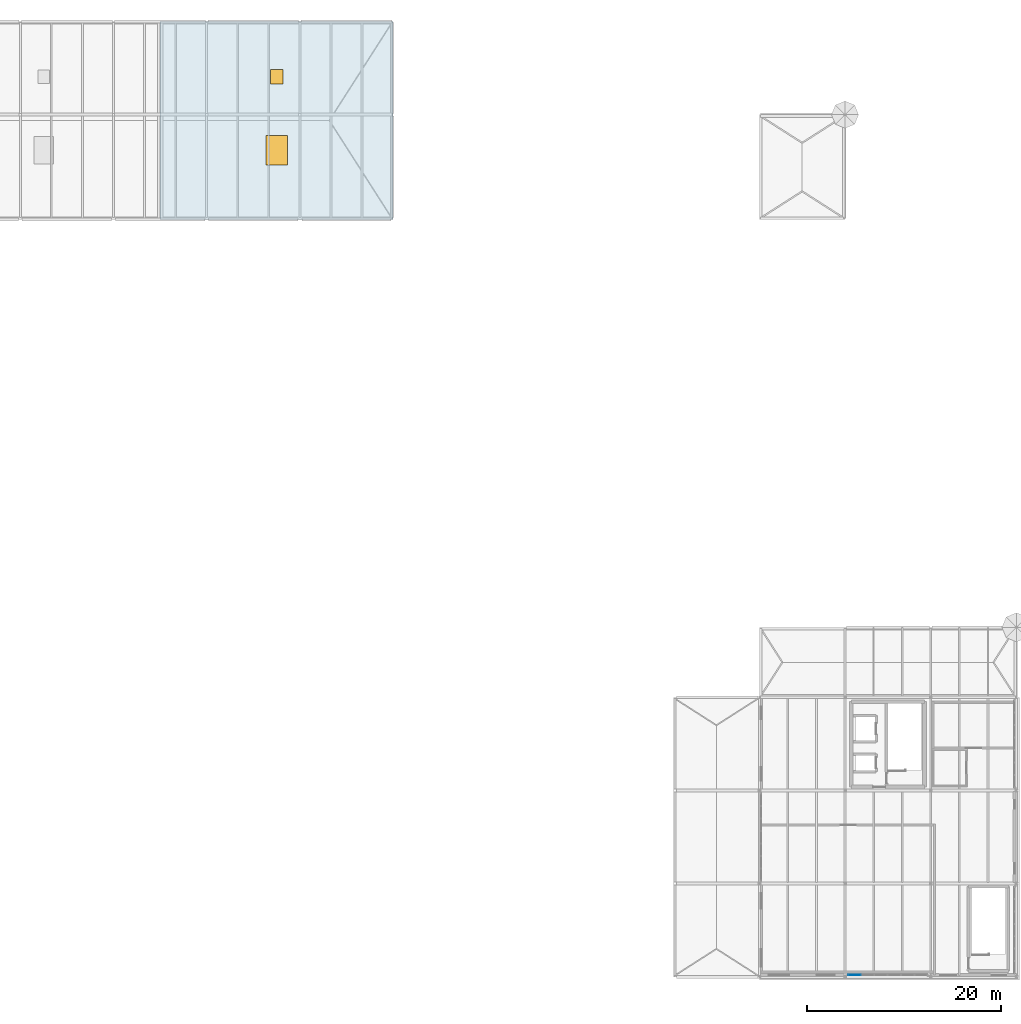
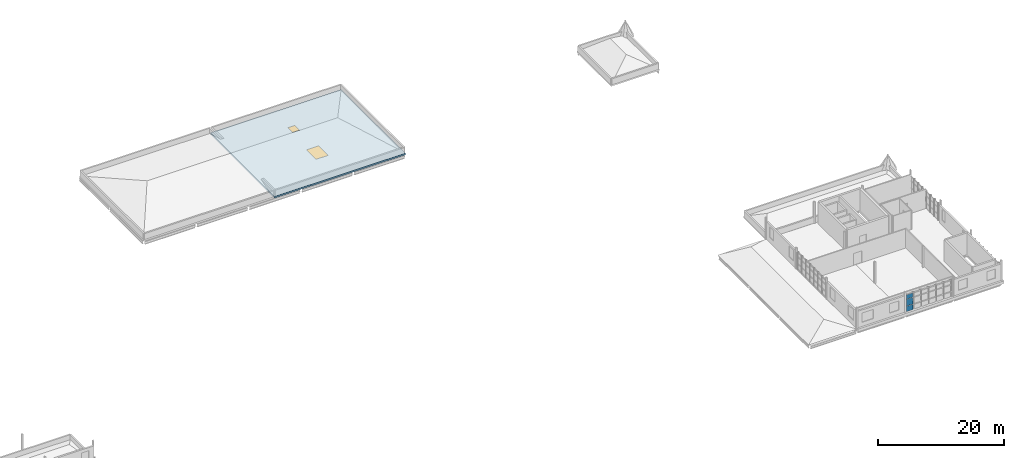
# One storey, part 18 of 28: 3 plates, 1 door, 1 slab, 1 window, 2 openings, 1 element without a shape of its own.
"""IFC4 building model written with IfcOpenShell, lengths in metres."""

from ifc_helpers import new_model, si_unit, direction, frame, origin, origin_2d, place, context, subcontext, project, spatial, polyline, rectangle, outline, extrude, material, layer, layer_set, type_object, element, fill, aggregate, save


model = new_model("IFC4")

# Units and contexts
model_context = context("Model", 3, precision=1e-05, world=origin(), true_north=direction((0.0, 1.0)))
body_context = subcontext(model_context, "Body", "Model", "MODEL_VIEW")
ifc_project = project(units=[si_unit("LENGTHUNIT", "METRE"), si_unit("AREAUNIT", "SQUARE_METRE"), si_unit("VOLUMEUNIT", "CUBIC_METRE"), si_unit("PLANEANGLEUNIT", "RADIAN"), si_unit("MASSUNIT", "GRAM", prefix="KILO")], contexts=[model_context])

# Site, building, storey
site_placement = place(None, origin())
site = spatial("IfcSite", under=ifc_project, at=site_placement, CompositionType="ELEMENT")
building_placement = place(site_placement, origin())
building = spatial("IfcBuilding", under=site, at=building_placement, Name="Yeouljin Market Hall", CompositionType="ELEMENT")
storey_placement = place(building_placement, frame((0.0, 0.0, 15.0)))
storey = spatial("IfcBuildingStorey", under=building, at=storey_placement, Name="L03", CompositionType="ELEMENT", Elevation=15.0)

# Curtain wall, plates
ifc_material_1 = material(Name="Thermally Broken Aluminium", Category="aluminium")
ifc_layer_1 = layer(ifc_material_1, 0.14990234375)
ifc_layer_set_1 = layer_set([ifc_layer_1], Name="Thermally Broken Aluminium")
curtain_wall_type = type_object("IfcCurtainWallType", Name="CW_AcademyRibbon_System", PredefinedType="USERDEFINED", material=ifc_layer_set_1)
curtain_wall_placement = place(storey_placement, origin())
curtain_wall = element("IfcCurtainWall", 1, at=curtain_wall_placement, inside=storey, type_object=curtain_wall_type, Name="Curtain wall CW-L03-W11", ObjectType="CURTAIN WALL", PredefinedType="USERDEFINED")
ifc_material_2 = material(Name="Low-E Insulated Glass", Category="glass")
ifc_layer_2 = layer(ifc_material_2, 0.028076171875)
ifc_layer_set_2 = layer_set([ifc_layer_2], Name="Low-E Insulated Glass")
plate_type = type_object("IfcPlateType", Name="CWPanel_LowE_28", PredefinedType="CURTAIN_PANEL", material=ifc_layer_set_2)
plate_1_placement = place(storey_placement, frame((159.699462890625, 0.199951171875, 0.0478515625), z_axis=(0.0, 0.0, 1.0), x_axis=(-1.0, 0.0, 0.0)))
plate_1 = element("IfcPlate", 2, at=plate_1_placement, type_object=plate_type, Name="CW-05 panel 6.1", PredefinedType="CURTAIN_PANEL", context=body_context, shape_type="SweptSolid", body=[
    extrude(rectangle(XDim=1.302978515625, YDim=0.028076171875, at=origin_2d()), origin(), (0.0, 0.0, 1.0), 1.028076171875),
])
plate_2_placement = place(storey_placement, frame((159.699462890625, 0.199951171875, 1.1240234375), z_axis=(0.0, 0.0, 1.0), x_axis=(-1.0, 0.0, 0.0)))
plate_2 = element("IfcPlate", 3, at=plate_2_placement, type_object=plate_type, Name="CW-05 panel 6.2", PredefinedType="CURTAIN_PANEL", context=body_context, shape_type="SweptSolid", body=[
    extrude(rectangle(XDim=1.302978515625, YDim=0.028076171875, at=origin_2d()), origin(), (0.0, 0.0, 1.0), 1.302001953125),
])
plate_3_placement = place(storey_placement, frame((159.699462890625, 0.199951171875, 2.47412109375), z_axis=(0.0, 0.0, 1.0), x_axis=(-1.0, 0.0, 0.0)))
plate_3 = element("IfcPlate", 4, at=plate_3_placement, type_object=plate_type, Name="CW-05 panel 6.3", PredefinedType="CURTAIN_PANEL", context=body_context, shape_type="SweptSolid", body=[
    extrude(rectangle(XDim=1.302978515625, YDim=0.028076171875, at=origin_2d()), origin(), (0.0, 0.0, 1.0), 0.827880859375),
])
aggregate(curtain_wall, [plate_1, plate_2, plate_3])

# Slab, openings, door, window
ifc_material_3 = material(Name="Concrete C30/37", Category="concrete")
ifc_layer_3 = layer(ifc_material_3, 0.2900390625)
ifc_layer_set_3 = layer_set([ifc_layer_3], Name="Concrete C30/37")
slab_type = type_object("IfcSlabType", Name="SLB_ROOF_225", PredefinedType="ROOF", material=ifc_layer_set_3)
slab_placement = place(storey_placement, frame((0.0, 0.0, -0.280029296875)))
slab = element("IfcSlab", 5, at=slab_placement, inside=storey, type_object=slab_type, Name="Wing structural roof slab RSLB-V4-MAIN2", PredefinedType="ROOF", context=body_context, shape_type="SweptSolid", body=[
    extrude(outline(polyline([(88.199951171875, 78.0), (112.199951171875, 78.0), (112.199951171875, 98.39990234375), (88.199951171875, 98.39990234375), (88.199951171875, 78.0)])), origin(), (0.0, 0.0, 1.0), 0.2900390625),
])
opening_1_placement = place(slab_placement, frame((100.199951171875, 85.139892578125, 0.0)))
opening_1 = element("IfcOpeningElement", 6, at=opening_1_placement, cuts=slab, Name="Opening SK-04", PredefinedType="OPENING", context=body_context, shape_type="SweptSolid", body=[
    extrude(rectangle(XDim=2.199951171875, YDim=3.0, at=origin_2d()), origin(), (0.0, 0.0, 1.0), 0.2900390625),
])
opening_2_placement = place(slab_placement, frame((100.199951171875, 92.68798828125, 0.0)))
opening_2 = element("IfcOpeningElement", 7, at=opening_2_placement, cuts=slab, Name="Opening HT-06", PredefinedType="OPENING", context=body_context, shape_type="SweptSolid", body=[
    extrude(rectangle(XDim=1.300048828125, YDim=1.5, at=origin_2d()), origin(), (0.0, 0.0, 1.0), 0.2900390625),
])
ifc_material_4 = material(Name="Galvanised Painted Steel", Category="steel")
door_type = type_object("IfcDoorType", Name="DT-HT130", OperationType="SINGLE_SWING_LEFT", PredefinedType="TRAPDOOR", material=ifc_material_4)
door_placement = place(opening_2_placement, frame((0.0, 0.0, 0.239990234375)))
door = element("IfcDoor", 8, at=door_placement, inside=storey, type_object=door_type, Name="Roof maintenance access hatch HT-06", OperationType="SINGLE_SWING_LEFT", OverallHeight=1.5, OverallWidth=1.300048828125, PredefinedType="TRAPDOOR", context=body_context, shape_type="SweptSolid", body=[
    extrude(rectangle(XDim=1.300048828125, YDim=1.5, at=origin_2d()), origin(), (0.0, 0.0, 1.0), 0.050048828125),
])
fill(opening_2, door)
ifc_material_5 = material(Name="Low-E Insulated Glass", Category="glass")
window_type = type_object("IfcWindowType", Name="Skylight_2200x3000", PartitioningType="SINGLE_PANEL", PredefinedType="SKYLIGHT", material=ifc_material_5)
window_placement = place(opening_1_placement, frame((0.0, 0.0, 0.239990234375)))
window = element("IfcWindow", 9, at=window_placement, inside=storey, type_object=window_type, Name="Roof skylight 10", OverallHeight=3.0, OverallWidth=2.199951171875, PartitioningType="SINGLE_PANEL", PredefinedType="SKYLIGHT", context=body_context, shape_type="SweptSolid", body=[
    extrude(rectangle(XDim=2.199951171875, YDim=3.0, at=origin_2d()), origin(), (0.0, 0.0, 1.0), 0.050048828125),
])
fill(opening_1, window)

save(model, "model.ifc")
